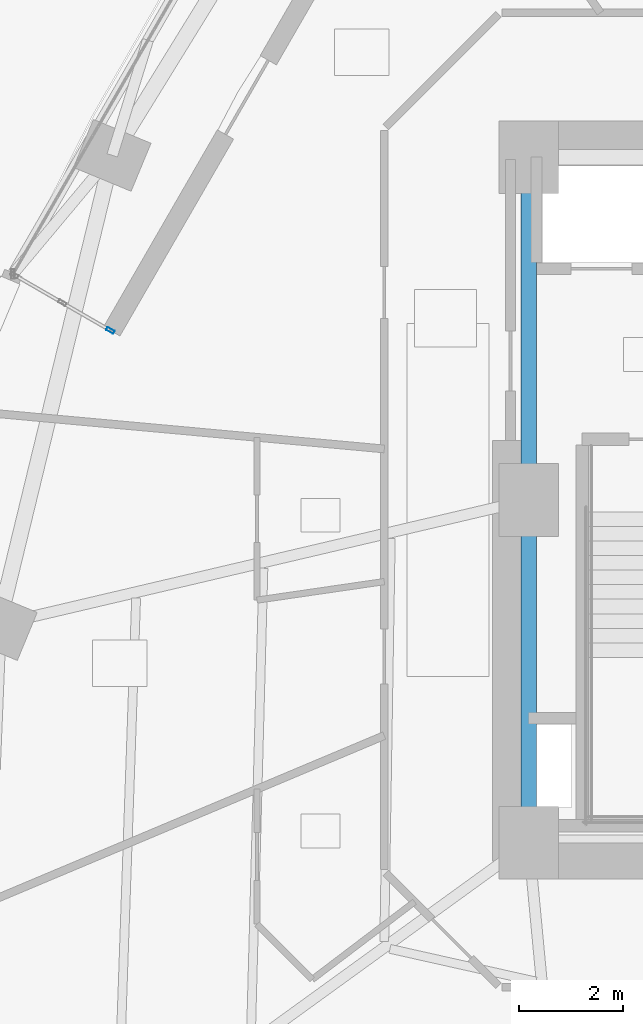
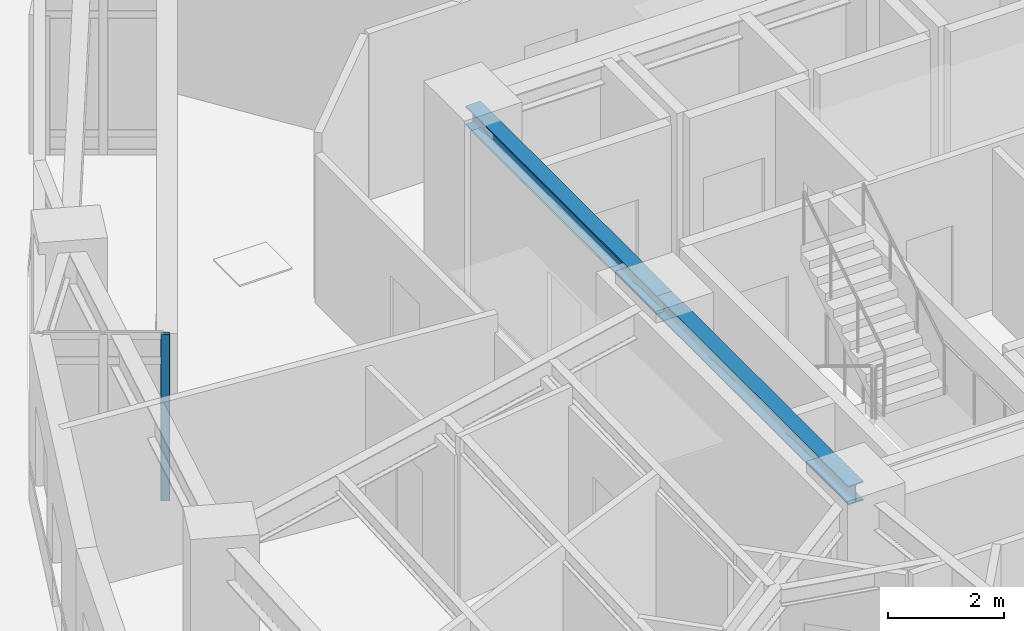
# One storey, part 2 of 15: 2 beams, 1 member, 1 element without a shape of its own.
"""IFC4 building model written with IfcOpenShell, lengths in metres."""

from ifc_helpers import new_model, si_unit, direction, frame, origin, origin_2d, place, context, subcontext, project, spatial, hollow_rectangle, i_section, extrude, material, layer, layer_set, material_profile, profile_set, type_object, element, aggregate, save


model = new_model("IFC4")

# Units and contexts
model_context = context("Model", 3, precision=1e-05, world=origin(), true_north=direction((0.0, 1.0)))
body_context = subcontext(model_context, "Body", "Model", "MODEL_VIEW")
ifc_project = project(units=[si_unit("LENGTHUNIT", "METRE"), si_unit("AREAUNIT", "SQUARE_METRE"), si_unit("VOLUMEUNIT", "CUBIC_METRE"), si_unit("PLANEANGLEUNIT", "RADIAN"), si_unit("MASSUNIT", "GRAM", prefix="KILO")], contexts=[model_context])

# Site, building, storey
site_placement = place(None, origin())
site = spatial("IfcSite", under=ifc_project, at=site_placement, CompositionType="ELEMENT")
building_placement = place(site_placement, origin())
building = spatial("IfcBuilding", under=site, at=building_placement, Name="Ndelora Gate Hotel", CompositionType="ELEMENT")
storey_placement = place(building_placement, frame((0.0, 0.0, 30.5)))
storey = spatial("IfcBuildingStorey", under=building, at=storey_placement, Name="L06", CompositionType="ELEMENT", Elevation=30.5)

# Beams
ifc_material_1 = material(Name="Steel S355", Category="steel")
ifc_material_profile_1 = material_profile(ifc_material_1, i_section(OverallWidth=0.300048828125, OverallDepth=0.39990234375, WebThickness=0.013427734375, FlangeThickness=0.02392578125, FilletRadius=0.027099609375, at=origin_2d()), Name="HEB 400")
ifc_profile_set_1 = profile_set([ifc_material_profile_1], Name="Steel S355")
beam_type = type_object("IfcBeamType", Name="BM-CORE-400", PredefinedType="BEAM", material=ifc_profile_set_1)
for number, where, z_axis, x_axis, name in (
    (1, (-8.0, -6.60009765625, 3.300048828125), (0.0, 1.0, 0.0), (-1.0, 0.0, 0.0), "L06 Core Tie Girder CC1-CC8"),
    (2, (-8.0, 0.0, 3.300048828125), (0.0, 1.0, 0.0), (-1.0, 0.0, 0.0), "L06 Core Tie Girder CC8-CC7"),
):
    element("IfcBeam", number, at=place(storey_placement, frame(where, z_axis=z_axis, x_axis=x_axis)), inside=storey, type_object=beam_type, Name=name, PredefinedType="BEAM", context=body_context, shape_type="SweptSolid", body=[
        extrude(i_section(OverallWidth=0.300048828125, OverallDepth=0.39990234375, WebThickness=0.013427734375, FlangeThickness=0.02392578125, FilletRadius=0.027099609375, at=origin_2d()), origin(), (0.0, 0.0, 1.0), 6.60009765625),
    ])

# Curtain wall, member
ifc_material_2 = material(Name="Bronze Anodised Unitised Aluminium and Low-E Glass", Category="aluminium")
ifc_layer = layer(ifc_material_2, 0.199951171875)
ifc_layer_set = layer_set([ifc_layer], Name="Bronze Anodised Unitised Aluminium and Low-E Glass")
curtain_wall_type = type_object("IfcCurtainWallType", Name="CW-SYS-3", PredefinedType="NOTDEFINED", material=ifc_layer_set)
curtain_wall_placement = place(storey_placement, origin())
curtain_wall = element("IfcCurtainWall", 3, at=curtain_wall_placement, inside=storey, type_object=curtain_wall_type, Name="L06 Sky-Garden Loggia Side Curtain Wall CW3-2", PredefinedType="NOTDEFINED")
ifc_material_3 = material(Name="Bronze Anodised Aluminium 6063-T6", Category="aluminium")
ifc_material_profile_2 = material_profile(ifc_material_3, hollow_rectangle(XDim=0.06494140625, YDim=0.159912109375, WallThickness=0.00390625, InnerFilletRadius=0.00390625, OuterFilletRadius=0.008056640625, at=origin_2d()), Name="ALU 160x65x4")
ifc_profile_set_2 = profile_set([ifc_material_profile_2], Name="Bronze Anodised Aluminium 6063-T6")
member_type = type_object("IfcMemberType", Name="MB-CW-MUL150", PredefinedType="MULLION", material=ifc_profile_set_2)
member_placement = place(storey_placement, frame((-16.052978515625, 3.263916015625, -0.00390625), z_axis=(0.0, 0.0, 1.0), x_axis=(0.499991317892, 0.866030416344, 0.0)))
member = element("IfcMember", 4, at=member_placement, type_object=member_type, Name="CW3 mullion 3", PredefinedType="MULLION", context=body_context, shape_type="SweptSolid", body=[
    extrude(hollow_rectangle(XDim=0.06494140625, YDim=0.159912109375, WallThickness=0.00390625, InnerFilletRadius=0.00390625, OuterFilletRadius=0.008056640625, at=origin_2d()), origin(), (0.0, 0.0, 1.0), 3.5078125),
])
aggregate(curtain_wall, [member])

save(model, "model.ifc")
